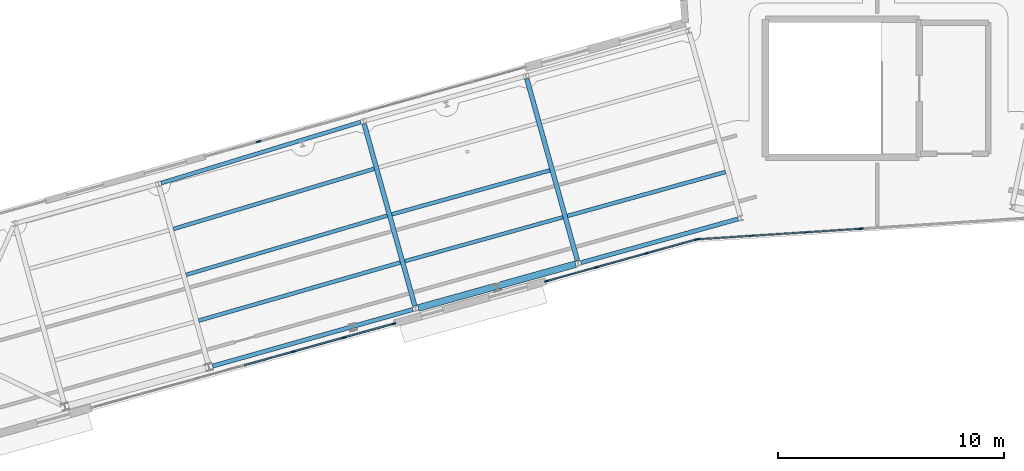
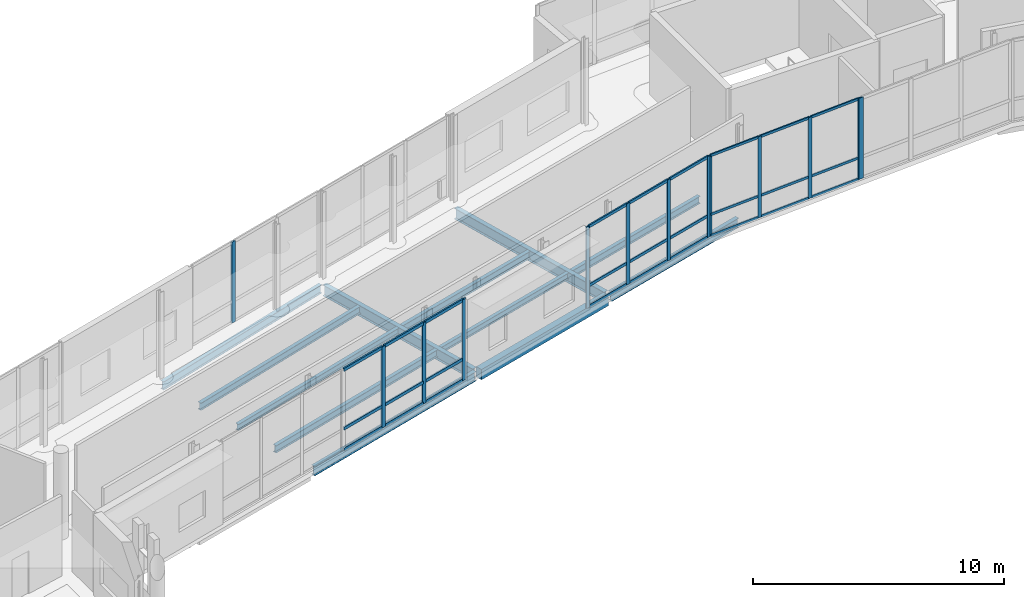
# One storey, part 33 of 125: 40 members, 12 beams, 5 elements without a shape of their own.
"""IFC4 building model written with IfcOpenShell, lengths in metres."""

from ifc_helpers import new_model, si_unit, direction, frame, origin, origin_2d, place, context, subcontext, project, spatial, rectangle, i_section, extrude, material, material_profile, profile_set, type_object, element, aggregate, save


model = new_model("IFC4")

# Units and contexts
model_context = context("Model", 3, precision=1e-05, world=origin(), true_north=direction((0.0, 1.0)))
body_context = subcontext(model_context, "Body", "Model", "MODEL_VIEW")
ifc_project = project(units=[si_unit("LENGTHUNIT", "METRE"), si_unit("AREAUNIT", "SQUARE_METRE"), si_unit("VOLUMEUNIT", "CUBIC_METRE"), si_unit("PLANEANGLEUNIT", "RADIAN"), si_unit("MASSUNIT", "GRAM", prefix="KILO")], contexts=[model_context])

# Site, building, storey
site_placement = place(None, origin())
site = spatial("IfcSite", under=ifc_project, at=site_placement, CompositionType="ELEMENT")
building_placement = place(site_placement, origin())
building = spatial("IfcBuilding", under=site, at=building_placement, Name="Wrenclough Park School", CompositionType="ELEMENT")
storey_placement = place(building_placement, frame((0.0, 0.0, 4.199951171875)))
storey = spatial("IfcBuildingStorey", under=building, at=storey_placement, Name="L01", CompositionType="ELEMENT", Elevation=4.199951171875)

# Curtain wall, members
ifc_material_1 = material(Name="Thermally broken aluminium and low-e glass curtain wall", Category="aluminium")
curtain_wall_type_1 = type_object("IfcCurtainWallType", Name="ENV-CW-08", PredefinedType="USERDEFINED", material=ifc_material_1)
curtain_wall_1_placement = place(storey_placement, origin())
curtain_wall_1 = element("IfcCurtainWall", 1, at=curtain_wall_1_placement, inside=storey, type_object=curtain_wall_type_1, Name="L01 recessed curtain wall assembly 135", ObjectType="CURTAIN WALL", PredefinedType="USERDEFINED")
ifc_material_2 = material(Name="Thermally broken anodised aluminium", Category="aluminium")
ifc_material_profile_1 = material_profile(ifc_material_2, rectangle(XDim=0.06005859375, YDim=0.159912109375, at=origin_2d()), Name="AL MULLION 60x160")
ifc_profile_set_1 = profile_set([ifc_material_profile_1], Name="Thermally broken anodised aluminium")
member_type_1 = type_object("IfcMemberType", Name="ENV-CWM-1", PredefinedType="MULLION", material=ifc_profile_set_1)
member_1_placement = place(storey_placement, frame((93.20751953125, 32.88916015625, 0.0), z_axis=(0.0, 0.0, 1.0), x_axis=(0.064258804509, -0.99793326733, 0.0)))
member_1 = element("IfcMember", 2, at=member_1_placement, type_object=member_type_1, Name="CW-08 mullion 1", PredefinedType="MULLION", context=body_context, shape_type="SweptSolid", body=[
    extrude(rectangle(XDim=0.06005859375, YDim=0.159912109375, at=origin_2d()), origin(), (0.0, 0.0, 1.0), 3.93994140625),
])
member_2_placement = place(storey_placement, frame((90.840087890625, 32.736572265625, 0.0), z_axis=(0.0, 0.0, 1.0), x_axis=(0.064258804509, -0.99793326733, 0.0)))
member_2 = element("IfcMember", 3, at=member_2_placement, type_object=member_type_1, Name="CW-08 mullion 2", PredefinedType="MULLION", context=body_context, shape_type="SweptSolid", body=[
    extrude(rectangle(XDim=0.06005859375, YDim=0.159912109375, at=origin_2d()), origin(), (0.0, 0.0, 1.0), 3.93994140625),
])
member_3_placement = place(storey_placement, frame((88.44287109375, 32.582275390625, 0.0), z_axis=(0.0, 0.0, 1.0), x_axis=(0.064258804509, -0.99793326733, 0.0)))
member_3 = element("IfcMember", 4, at=member_3_placement, type_object=member_type_1, Name="CW-08 mullion 3", PredefinedType="MULLION", context=body_context, shape_type="SweptSolid", body=[
    extrude(rectangle(XDim=0.06005859375, YDim=0.159912109375, at=origin_2d()), origin(), (0.0, 0.0, 1.0), 3.93994140625),
])
member_4_placement = place(storey_placement, frame((86.075439453125, 32.429931640625, 0.0), z_axis=(0.0, 0.0, 1.0), x_axis=(0.064258804509, -0.99793326733, 0.0)))
member_4 = element("IfcMember", 5, at=member_4_placement, type_object=member_type_1, Name="CW-08 mullion 4", PredefinedType="MULLION", context=body_context, shape_type="SweptSolid", body=[
    extrude(rectangle(XDim=0.06005859375, YDim=0.159912109375, at=origin_2d()), origin(), (0.0, 0.0, 1.0), 3.93994140625),
])

curtain_wall_type_2 = type_object("IfcCurtainWallType", Name="ENV-CW-09", PredefinedType="USERDEFINED", material=ifc_material_1)
curtain_wall_2_placement = place(storey_placement, origin())
curtain_wall_2 = element("IfcCurtainWall", 6, at=curtain_wall_2_placement, inside=storey, type_object=curtain_wall_type_2, Name="L01 recessed curtain wall assembly 136", ObjectType="CURTAIN WALL", PredefinedType="USERDEFINED")
ifc_material_profile_2 = material_profile(ifc_material_2, rectangle(XDim=0.06494140625, YDim=0.179931640625, at=origin_2d()), Name="AL MULLION 65x180")
ifc_profile_set_2 = profile_set([ifc_material_profile_2], Name="Thermally broken anodised aluminium")
member_type_2 = type_object("IfcMemberType", Name="ENV-CWM-2", PredefinedType="MULLION", material=ifc_profile_set_2)
member_5_placement = place(storey_placement, frame((86.00634765625, 32.417724609375, 0.0), z_axis=(0.0, 0.0, 1.0), x_axis=(0.268072536011, -0.963398731282, 0.0)))
member_5 = element("IfcMember", 7, at=member_5_placement, type_object=member_type_2, Name="CW-09 mullion 1", PredefinedType="MULLION", context=body_context, shape_type="SweptSolid", body=[
    extrude(rectangle(XDim=0.06494140625, YDim=0.179931640625, at=origin_2d()), origin(), (0.0, 0.0, 1.0), 3.93994140625),
])
member_6_placement = place(storey_placement, frame((83.808349609375, 31.80615234375, 0.0), z_axis=(0.0, 0.0, 1.0), x_axis=(0.268072536011, -0.963398731282, 0.0)))
member_6 = element("IfcMember", 8, at=member_6_placement, type_object=member_type_2, Name="CW-09 mullion 2", PredefinedType="MULLION", context=body_context, shape_type="SweptSolid", body=[
    extrude(rectangle(XDim=0.06494140625, YDim=0.179931640625, at=origin_2d()), origin(), (0.0, 0.0, 1.0), 3.93994140625),
])
member_7_placement = place(storey_placement, frame((81.5791015625, 31.185791015625, 0.0), z_axis=(0.0, 0.0, 1.0), x_axis=(0.268072536011, -0.963398731282, 0.0)))
member_7 = element("IfcMember", 9, at=member_7_placement, type_object=member_type_2, Name="CW-09 mullion 3", PredefinedType="MULLION", context=body_context, shape_type="SweptSolid", body=[
    extrude(rectangle(XDim=0.06494140625, YDim=0.179931640625, at=origin_2d()), origin(), (0.0, 0.0, 1.0), 3.93994140625),
])
member_8_placement = place(storey_placement, frame((79.381103515625, 30.57421875, 0.0), z_axis=(0.0, 0.0, 1.0), x_axis=(0.268072536011, -0.963398731282, 0.0)))
member_8 = element("IfcMember", 10, at=member_8_placement, type_object=member_type_2, Name="CW-09 mullion 4", PredefinedType="MULLION", context=body_context, shape_type="SweptSolid", body=[
    extrude(rectangle(XDim=0.06494140625, YDim=0.179931640625, at=origin_2d()), origin(), (0.0, 0.0, 1.0), 3.93994140625),
])

# Curtain wall, member
curtain_wall_type_3 = type_object("IfcCurtainWallType", Name="ENV-CW-07", PredefinedType="USERDEFINED", material=ifc_material_1)
curtain_wall_3_placement = place(storey_placement, origin())
curtain_wall_3 = element("IfcCurtainWall", 11, at=curtain_wall_3_placement, inside=storey, type_object=curtain_wall_type_3, Name="L01 recessed curtain wall assembly 134", ObjectType="CURTAIN WALL", PredefinedType="USERDEFINED")
ifc_material_profile_3 = material_profile(ifc_material_2, rectangle(XDim=0.070068359375, YDim=0.199951171875, at=origin_2d()), Name="AL MULLION 70x200")
ifc_profile_set_3 = profile_set([ifc_material_profile_3], Name="Thermally broken anodised aluminium")
member_type_3 = type_object("IfcMemberType", Name="ENV-CWM-3", PredefinedType="MULLION", material=ifc_profile_set_3)
member_9_placement = place(storey_placement, frame((93.2802734375, 32.893798828125, 0.0), z_axis=(0.0, 0.0, 1.0), x_axis=(0.064258804509, -0.99793326733, 0.0)))
member_9 = element("IfcMember", 12, at=member_9_placement, type_object=member_type_3, Name="CW-07 mullion 4", PredefinedType="MULLION", context=body_context, shape_type="SweptSolid", body=[
    extrude(rectangle(XDim=0.070068359375, YDim=0.199951171875, at=origin_2d()), origin(), (0.0, 0.0, 1.0), 3.93994140625),
])
aggregate(curtain_wall_3, [member_9])

# Curtain wall, members
curtain_wall_type_4 = type_object("IfcCurtainWallType", Name="ENV-CW-10", PredefinedType="USERDEFINED", material=ifc_material_1)
curtain_wall_4_placement = place(storey_placement, origin())
curtain_wall_4 = element("IfcCurtainWall", 13, at=curtain_wall_4_placement, inside=storey, type_object=curtain_wall_type_4, Name="L01 recessed curtain wall assembly 137", ObjectType="CURTAIN WALL", PredefinedType="USERDEFINED")
member_10_placement = place(storey_placement, frame((72.61279296875, 28.69091796875, 0.0), z_axis=(0.0, 0.0, 1.0), x_axis=(0.268059165615, -0.96340245159, 0.0)))
member_10 = element("IfcMember", 14, at=member_10_placement, type_object=member_type_3, Name="CW-10 mullion 1", PredefinedType="MULLION", context=body_context, shape_type="SweptSolid", body=[
    extrude(rectangle(XDim=0.070068359375, YDim=0.199951171875, at=origin_2d()), origin(), (0.0, 0.0, 1.0), 3.93994140625),
])
member_11_placement = place(storey_placement, frame((70.417236328125, 28.080078125, 0.0), z_axis=(0.0, 0.0, 1.0), x_axis=(0.268059165615, -0.96340245159, 0.0)))
member_11 = element("IfcMember", 15, at=member_11_placement, type_object=member_type_3, Name="CW-10 mullion 2", PredefinedType="MULLION", context=body_context, shape_type="SweptSolid", body=[
    extrude(rectangle(XDim=0.070068359375, YDim=0.199951171875, at=origin_2d()), origin(), (0.0, 0.0, 1.0), 3.93994140625),
])
member_12_placement = place(storey_placement, frame((68.18798828125, 27.459716796875, 0.0), z_axis=(0.0, 0.0, 1.0), x_axis=(0.268059165615, -0.96340245159, 0.0)))
member_12 = element("IfcMember", 16, at=member_12_placement, type_object=member_type_3, Name="CW-10 mullion 3", PredefinedType="MULLION", context=body_context, shape_type="SweptSolid", body=[
    extrude(rectangle(XDim=0.070068359375, YDim=0.199951171875, at=origin_2d()), origin(), (0.0, 0.0, 1.0), 3.93994140625),
])

# Curtain wall, member
curtain_wall_type_5 = type_object("IfcCurtainWallType", Name="ENV-CW-16", PredefinedType="USERDEFINED", material=ifc_material_1)
curtain_wall_5_placement = place(storey_placement, origin())
curtain_wall_5 = element("IfcCurtainWall", 17, at=curtain_wall_5_placement, inside=storey, type_object=curtain_wall_type_5, Name="L01 recessed curtain wall assembly 143", ObjectType="CURTAIN WALL", PredefinedType="USERDEFINED")
member_13_placement = place(storey_placement, frame((66.6552734375, 36.748779296875, 0.0), z_axis=(0.0, 0.0, 1.0), x_axis=(-0.268072383958, 0.963398773592, 0.0)))
member_13 = element("IfcMember", 18, at=member_13_placement, type_object=member_type_3, Name="CW-16 mullion 2", PredefinedType="MULLION", context=body_context, shape_type="SweptSolid", body=[
    extrude(rectangle(XDim=0.070068359375, YDim=0.199951171875, at=origin_2d()), origin(), (0.0, 0.0, 1.0), 3.93994140625),
])
aggregate(curtain_wall_5, [member_13])

# Member
ifc_material_profile_4 = material_profile(ifc_material_2, rectangle(XDim=0.06005859375, YDim=0.1201171875, at=origin_2d()), Name="AL TRANSOM 60x120")
ifc_profile_set_4 = profile_set([ifc_material_profile_4], Name="Thermally broken anodised aluminium")
member_type_4 = type_object("IfcMemberType", Name="ENV-CWT-1", PredefinedType="USERDEFINED", material=ifc_profile_set_4)
member_14_placement = place(storey_placement, frame((93.177490234375, 32.88720703125, 0.030029296875), z_axis=(-0.997930339221, -0.064304261622, 0.0), x_axis=(0.064304261622, -0.997930339221, 0.0)))
member_14 = element("IfcMember", 19, at=member_14_placement, type_object=member_type_4, Name="CW-08 transom 1.1", ObjectType="TRANSOM", PredefinedType="USERDEFINED", context=body_context, shape_type="SweptSolid", body=[
    extrude(rectangle(XDim=0.06005859375, YDim=0.1201171875, at=origin_2d()), origin(), (0.0, 0.0, 1.0), 2.312255859375),
])

member_15_placement = place(storey_placement, frame((93.177490234375, 32.88720703125, 1.050048828125), z_axis=(-0.997930339221, -0.064304261622, 0.0), x_axis=(0.064304261622, -0.997930339221, 0.0)))
member_15 = element("IfcMember", 20, at=member_15_placement, type_object=member_type_4, Name="CW-08 transom 1.2", ObjectType="TRANSOM", PredefinedType="USERDEFINED", context=body_context, shape_type="SweptSolid", body=[
    extrude(rectangle(XDim=0.06005859375, YDim=0.1201171875, at=origin_2d()), origin(), (0.0, 0.0, 1.0), 2.312255859375),
])

member_16_placement = place(storey_placement, frame((93.177490234375, 32.88720703125, 3.91015625), z_axis=(-0.997930339221, -0.064304261622, 0.0), x_axis=(0.064304261622, -0.997930339221, 0.0)))
member_16 = element("IfcMember", 21, at=member_16_placement, type_object=member_type_4, Name="CW-08 transom 1.3", ObjectType="TRANSOM", PredefinedType="USERDEFINED", context=body_context, shape_type="SweptSolid", body=[
    extrude(rectangle(XDim=0.06005859375, YDim=0.1201171875, at=origin_2d()), origin(), (0.0, 0.0, 1.0), 2.312255859375),
])

member_17_placement = place(storey_placement, frame((90.81005859375, 32.734619140625, 0.030029296875), z_axis=(-0.997936527289, -0.064208157595, 0.0), x_axis=(0.064208157595, -0.997936527289, 0.0)))
member_17 = element("IfcMember", 22, at=member_17_placement, type_object=member_type_4, Name="CW-08 transom 2.1", ObjectType="TRANSOM", PredefinedType="USERDEFINED", context=body_context, shape_type="SweptSolid", body=[
    extrude(rectangle(XDim=0.06005859375, YDim=0.1201171875, at=origin_2d()), origin(), (0.0, 0.0, 1.0), 2.34228515625),
])

member_18_placement = place(storey_placement, frame((90.81005859375, 32.734619140625, 1.050048828125), z_axis=(-0.997936527289, -0.064208157595, 0.0), x_axis=(0.064208157595, -0.997936527289, 0.0)))
member_18 = element("IfcMember", 23, at=member_18_placement, type_object=member_type_4, Name="CW-08 transom 2.2", ObjectType="TRANSOM", PredefinedType="USERDEFINED", context=body_context, shape_type="SweptSolid", body=[
    extrude(rectangle(XDim=0.06005859375, YDim=0.1201171875, at=origin_2d()), origin(), (0.0, 0.0, 1.0), 2.34228515625),
])

member_19_placement = place(storey_placement, frame((90.81005859375, 32.734619140625, 3.91015625), z_axis=(-0.997936527289, -0.064208157595, 0.0), x_axis=(0.064208157595, -0.997936527289, 0.0)))
member_19 = element("IfcMember", 24, at=member_19_placement, type_object=member_type_4, Name="CW-08 transom 2.3", ObjectType="TRANSOM", PredefinedType="USERDEFINED", context=body_context, shape_type="SweptSolid", body=[
    extrude(rectangle(XDim=0.06005859375, YDim=0.1201171875, at=origin_2d()), origin(), (0.0, 0.0, 1.0), 2.34228515625),
])

member_20_placement = place(storey_placement, frame((88.412841796875, 32.580322265625, 0.030029296875), z_axis=(-0.997930339221, -0.064304261622, 0.0), x_axis=(0.064304261622, -0.997930339221, 0.0)))
member_20 = element("IfcMember", 25, at=member_20_placement, type_object=member_type_4, Name="CW-08 transom 3.1", ObjectType="TRANSOM", PredefinedType="USERDEFINED", context=body_context, shape_type="SweptSolid", body=[
    extrude(rectangle(XDim=0.06005859375, YDim=0.1201171875, at=origin_2d()), origin(), (0.0, 0.0, 1.0), 2.312255859375),
])

member_21_placement = place(storey_placement, frame((88.412841796875, 32.580322265625, 1.050048828125), z_axis=(-0.997930339221, -0.064304261622, 0.0), x_axis=(0.064304261622, -0.997930339221, 0.0)))
member_21 = element("IfcMember", 26, at=member_21_placement, type_object=member_type_4, Name="CW-08 transom 3.2", ObjectType="TRANSOM", PredefinedType="USERDEFINED", context=body_context, shape_type="SweptSolid", body=[
    extrude(rectangle(XDim=0.06005859375, YDim=0.1201171875, at=origin_2d()), origin(), (0.0, 0.0, 1.0), 2.312255859375),
])

member_22_placement = place(storey_placement, frame((88.412841796875, 32.580322265625, 3.91015625), z_axis=(-0.997930339221, -0.064304261622, 0.0), x_axis=(0.064304261622, -0.997930339221, 0.0)))
member_22 = element("IfcMember", 27, at=member_22_placement, type_object=member_type_4, Name="CW-08 transom 3.3", ObjectType="TRANSOM", PredefinedType="USERDEFINED", context=body_context, shape_type="SweptSolid", body=[
    extrude(rectangle(XDim=0.06005859375, YDim=0.1201171875, at=origin_2d()), origin(), (0.0, 0.0, 1.0), 2.312255859375),
])

aggregate(curtain_wall_1, [member_1, member_2, member_3, member_4, member_14, member_15, member_16, member_17, member_18, member_19, member_20, member_21, member_22])

ifc_material_profile_5 = material_profile(ifc_material_2, rectangle(XDim=0.06494140625, YDim=0.139892578125, at=origin_2d()), Name="AL TRANSOM 65x140")
ifc_profile_set_5 = profile_set([ifc_material_profile_5], Name="Thermally broken anodised aluminium")
member_type_5 = type_object("IfcMemberType", Name="ENV-CWT-2", PredefinedType="USERDEFINED", material=ifc_profile_set_5)
member_23_placement = place(storey_placement, frame((85.97509765625, 32.4091796875, 0.032470703125), z_axis=(-0.963396308982, -0.268081241118, 0.0), x_axis=(0.268081241118, -0.963396308982, 0.0)))
member_23 = element("IfcMember", 28, at=member_23_placement, type_object=member_type_5, Name="CW-09 transom 1.1", ObjectType="TRANSOM", PredefinedType="USERDEFINED", context=body_context, shape_type="SweptSolid", body=[
    extrude(rectangle(XDim=0.06494140625, YDim=0.139892578125, at=origin_2d()), origin(), (0.0, 0.0, 1.0), 2.216552734375),
])

member_24_placement = place(storey_placement, frame((85.97509765625, 32.4091796875, 1.050048828125), z_axis=(-0.963396308982, -0.268081241118, 0.0), x_axis=(0.268081241118, -0.963396308982, 0.0)))
member_24 = element("IfcMember", 29, at=member_24_placement, type_object=member_type_5, Name="CW-09 transom 1.2", ObjectType="TRANSOM", PredefinedType="USERDEFINED", context=body_context, shape_type="SweptSolid", body=[
    extrude(rectangle(XDim=0.06494140625, YDim=0.139892578125, at=origin_2d()), origin(), (0.0, 0.0, 1.0), 2.216552734375),
])

member_25_placement = place(storey_placement, frame((85.97509765625, 32.4091796875, 3.907470703125), z_axis=(-0.963396308982, -0.268081241118, 0.0), x_axis=(0.268081241118, -0.963396308982, 0.0)))
member_25 = element("IfcMember", 30, at=member_25_placement, type_object=member_type_5, Name="CW-09 transom 1.3", ObjectType="TRANSOM", PredefinedType="USERDEFINED", context=body_context, shape_type="SweptSolid", body=[
    extrude(rectangle(XDim=0.06494140625, YDim=0.139892578125, at=origin_2d()), origin(), (0.0, 0.0, 1.0), 2.216552734375),
])

member_26_placement = place(storey_placement, frame((83.777099609375, 31.797607421875, 0.032470703125), z_axis=(-0.963385603119, -0.268119711516, 0.0), x_axis=(0.268119711516, -0.963385603119, 0.0)))
member_26 = element("IfcMember", 31, at=member_26_placement, type_object=member_type_5, Name="CW-09 transom 2.1", ObjectType="TRANSOM", PredefinedType="USERDEFINED", context=body_context, shape_type="SweptSolid", body=[
    extrude(rectangle(XDim=0.06494140625, YDim=0.139892578125, at=origin_2d()), origin(), (0.0, 0.0, 1.0), 2.2490234375),
])

member_27_placement = place(storey_placement, frame((83.777099609375, 31.797607421875, 1.050048828125), z_axis=(-0.963385603119, -0.268119711516, 0.0), x_axis=(0.268119711516, -0.963385603119, 0.0)))
member_27 = element("IfcMember", 32, at=member_27_placement, type_object=member_type_5, Name="CW-09 transom 2.2", ObjectType="TRANSOM", PredefinedType="USERDEFINED", context=body_context, shape_type="SweptSolid", body=[
    extrude(rectangle(XDim=0.06494140625, YDim=0.139892578125, at=origin_2d()), origin(), (0.0, 0.0, 1.0), 2.2490234375),
])

member_28_placement = place(storey_placement, frame((83.777099609375, 31.797607421875, 3.907470703125), z_axis=(-0.963385603119, -0.268119711516, 0.0), x_axis=(0.268119711516, -0.963385603119, 0.0)))
member_28 = element("IfcMember", 33, at=member_28_placement, type_object=member_type_5, Name="CW-09 transom 2.3", ObjectType="TRANSOM", PredefinedType="USERDEFINED", context=body_context, shape_type="SweptSolid", body=[
    extrude(rectangle(XDim=0.06494140625, YDim=0.139892578125, at=origin_2d()), origin(), (0.0, 0.0, 1.0), 2.2490234375),
])

member_29_placement = place(storey_placement, frame((81.5478515625, 31.17724609375, 0.032470703125), z_axis=(-0.963388392216, -0.268109689761, 0.0), x_axis=(0.268109689761, -0.963388392216, 0.0)))
member_29 = element("IfcMember", 34, at=member_29_placement, type_object=member_type_5, Name="CW-09 transom 3.1", ObjectType="TRANSOM", PredefinedType="USERDEFINED", context=body_context, shape_type="SweptSolid", body=[
    extrude(rectangle(XDim=0.06494140625, YDim=0.139892578125, at=origin_2d()), origin(), (0.0, 0.0, 1.0), 2.21630859375),
])

member_30_placement = place(storey_placement, frame((81.5478515625, 31.17724609375, 1.050048828125), z_axis=(-0.963388392216, -0.268109689761, 0.0), x_axis=(0.268109689761, -0.963388392216, 0.0)))
member_30 = element("IfcMember", 35, at=member_30_placement, type_object=member_type_5, Name="CW-09 transom 3.2", ObjectType="TRANSOM", PredefinedType="USERDEFINED", context=body_context, shape_type="SweptSolid", body=[
    extrude(rectangle(XDim=0.06494140625, YDim=0.139892578125, at=origin_2d()), origin(), (0.0, 0.0, 1.0), 2.21630859375),
])

member_31_placement = place(storey_placement, frame((81.5478515625, 31.17724609375, 3.907470703125), z_axis=(-0.963388392216, -0.268109689761, 0.0), x_axis=(0.268109689761, -0.963388392216, 0.0)))
member_31 = element("IfcMember", 36, at=member_31_placement, type_object=member_type_5, Name="CW-09 transom 3.3", ObjectType="TRANSOM", PredefinedType="USERDEFINED", context=body_context, shape_type="SweptSolid", body=[
    extrude(rectangle(XDim=0.06494140625, YDim=0.139892578125, at=origin_2d()), origin(), (0.0, 0.0, 1.0), 2.21630859375),
])

aggregate(curtain_wall_2, [member_5, member_6, member_7, member_8, member_23, member_24, member_25, member_26, member_27, member_28, member_29, member_30, member_31])

ifc_material_profile_6 = material_profile(ifc_material_2, rectangle(XDim=0.070068359375, YDim=0.14990234375, at=origin_2d()), Name="AL TRANSOM 70x150")
ifc_profile_set_6 = profile_set([ifc_material_profile_6], Name="Thermally broken anodised aluminium")
member_type_6 = type_object("IfcMemberType", Name="ENV-CWT-3", PredefinedType="USERDEFINED", material=ifc_profile_set_6)
member_32_placement = place(storey_placement, frame((72.5791015625, 28.681640625, 0.03515625), z_axis=(-0.963386375093, -0.268116937705, 0.0), x_axis=(0.268116937705, -0.963386375093, 0.0)))
member_32 = element("IfcMember", 37, at=member_32_placement, type_object=member_type_6, Name="CW-10 transom 1.1", ObjectType="TRANSOM", PredefinedType="USERDEFINED", context=body_context, shape_type="SweptSolid", body=[
    extrude(rectangle(XDim=0.070068359375, YDim=0.14990234375, at=origin_2d()), origin(), (0.0, 0.0, 1.0), 2.208984375),
])

member_33_placement = place(storey_placement, frame((72.5791015625, 28.681640625, 1.050048828125), z_axis=(-0.963386375093, -0.268116937705, 0.0), x_axis=(0.268116937705, -0.963386375093, 0.0)))
member_33 = element("IfcMember", 38, at=member_33_placement, type_object=member_type_6, Name="CW-10 transom 1.2", ObjectType="TRANSOM", PredefinedType="USERDEFINED", context=body_context, shape_type="SweptSolid", body=[
    extrude(rectangle(XDim=0.070068359375, YDim=0.14990234375, at=origin_2d()), origin(), (0.0, 0.0, 1.0), 2.208984375),
])

member_34_placement = place(storey_placement, frame((72.5791015625, 28.681640625, 3.905029296875), z_axis=(-0.963386375093, -0.268116937705, 0.0), x_axis=(0.268116937705, -0.963386375093, 0.0)))
member_34 = element("IfcMember", 39, at=member_34_placement, type_object=member_type_6, Name="CW-10 transom 1.3", ObjectType="TRANSOM", PredefinedType="USERDEFINED", context=body_context, shape_type="SweptSolid", body=[
    extrude(rectangle(XDim=0.070068359375, YDim=0.14990234375, at=origin_2d()), origin(), (0.0, 0.0, 1.0), 2.208984375),
])

member_35_placement = place(storey_placement, frame((70.383544921875, 28.070556640625, 0.03515625), z_axis=(-0.963425886953, -0.267974924852, 0.0), x_axis=(0.267974924852, -0.963425886953, 0.0)))
member_35 = element("IfcMember", 40, at=member_35_placement, type_object=member_type_6, Name="CW-10 transom 2.1", ObjectType="TRANSOM", PredefinedType="USERDEFINED", context=body_context, shape_type="SweptSolid", body=[
    extrude(rectangle(XDim=0.070068359375, YDim=0.14990234375, at=origin_2d()), origin(), (0.0, 0.0, 1.0), 2.243896484375),
])

member_36_placement = place(storey_placement, frame((70.383544921875, 28.070556640625, 1.050048828125), z_axis=(-0.963425886953, -0.267974924852, 0.0), x_axis=(0.267974924852, -0.963425886953, 0.0)))
member_36 = element("IfcMember", 41, at=member_36_placement, type_object=member_type_6, Name="CW-10 transom 2.2", ObjectType="TRANSOM", PredefinedType="USERDEFINED", context=body_context, shape_type="SweptSolid", body=[
    extrude(rectangle(XDim=0.070068359375, YDim=0.14990234375, at=origin_2d()), origin(), (0.0, 0.0, 1.0), 2.243896484375),
])

member_37_placement = place(storey_placement, frame((70.383544921875, 28.070556640625, 3.905029296875), z_axis=(-0.963425886953, -0.267974924852, 0.0), x_axis=(0.267974924852, -0.963425886953, 0.0)))
member_37 = element("IfcMember", 42, at=member_37_placement, type_object=member_type_6, Name="CW-10 transom 2.3", ObjectType="TRANSOM", PredefinedType="USERDEFINED", context=body_context, shape_type="SweptSolid", body=[
    extrude(rectangle(XDim=0.070068359375, YDim=0.14990234375, at=origin_2d()), origin(), (0.0, 0.0, 1.0), 2.243896484375),
])

member_38_placement = place(storey_placement, frame((68.154296875, 27.450439453125, 0.03515625), z_axis=(-0.963386375093, -0.268116937705, 0.0), x_axis=(0.268116937705, -0.963386375093, 0.0)))
member_38 = element("IfcMember", 43, at=member_38_placement, type_object=member_type_6, Name="CW-10 transom 3.1", ObjectType="TRANSOM", PredefinedType="USERDEFINED", context=body_context, shape_type="SweptSolid", body=[
    extrude(rectangle(XDim=0.070068359375, YDim=0.14990234375, at=origin_2d()), origin(), (0.0, 0.0, 1.0), 2.208984375),
])

member_39_placement = place(storey_placement, frame((68.154296875, 27.450439453125, 1.050048828125), z_axis=(-0.963386375093, -0.268116937705, 0.0), x_axis=(0.268116937705, -0.963386375093, 0.0)))
member_39 = element("IfcMember", 44, at=member_39_placement, type_object=member_type_6, Name="CW-10 transom 3.2", ObjectType="TRANSOM", PredefinedType="USERDEFINED", context=body_context, shape_type="SweptSolid", body=[
    extrude(rectangle(XDim=0.070068359375, YDim=0.14990234375, at=origin_2d()), origin(), (0.0, 0.0, 1.0), 2.208984375),
])

member_40_placement = place(storey_placement, frame((68.154296875, 27.450439453125, 3.905029296875), z_axis=(-0.963386375093, -0.268116937705, 0.0), x_axis=(0.268116937705, -0.963386375093, 0.0)))
member_40 = element("IfcMember", 45, at=member_40_placement, type_object=member_type_6, Name="CW-10 transom 3.3", ObjectType="TRANSOM", PredefinedType="USERDEFINED", context=body_context, shape_type="SweptSolid", body=[
    extrude(rectangle(XDim=0.070068359375, YDim=0.14990234375, at=origin_2d()), origin(), (0.0, 0.0, 1.0), 2.208984375),
])

aggregate(curtain_wall_4, [member_10, member_11, member_12, member_32, member_33, member_34, member_35, member_36, member_37, member_38, member_39, member_40])

# Beams
ifc_material_3 = material(Name="Concrete C32/40", Category="concrete")
ifc_material_profile_7 = material_profile(ifc_material_3, rectangle(XDim=0.300048828125, YDim=0.5, at=origin_2d()), Name="RC BEAM 300x500")
ifc_profile_set_7 = profile_set([ifc_material_profile_7], Name="Concrete C32/40")
beam_type_1 = type_object("IfcBeamType", Name="STR-BM-RC300", PredefinedType="BEAM", material=ifc_profile_set_7)
beam_1_placement = place(storey_placement, frame((73.7080078125, 29.39013671875, -0.489990234375), z_axis=(0.963393234091, 0.268092291025, 0.0), x_axis=(-0.268092291025, 0.963393234091, 0.0)))
element("IfcBeam", 46, at=beam_1_placement, inside=storey, type_object=beam_type_1, Name="W12 L01 longitudinal edge beam R3", PredefinedType="BEAM", context=body_context, shape_type="SweptSolid", body=[
    extrude(rectangle(XDim=0.300048828125, YDim=0.5, at=origin_2d()), origin(), (0.0, 0.0, 1.0), 7.216064453125),
])
ifc_material_4 = material(Name="Structural steel S355", Category="steel")
ifc_material_profile_8 = material_profile(ifc_material_4, i_section(OverallWidth=0.1650390625, OverallDepth=0.303466796875, WebThickness=0.006103515625, FlangeThickness=0.01025390625, FilletRadius=0.0087890625, at=origin_2d()), Name="UKB 305x165x40")
ifc_profile_set_8 = profile_set([ifc_material_profile_8], Name="Structural steel S355")
beam_type_2 = type_object("IfcBeamType", Name="STR-BM-UKB305", PredefinedType="JOIST", material=ifc_profile_set_8)
beam_2_placement = place(storey_placement, frame((63.44580078125, 30.855712890625, -0.3916015625), z_axis=(0.959375987665, 0.282130668824, 0.0), x_axis=(-0.282130668824, 0.959375987665, 0.0)))
element("IfcBeam", 47, at=beam_2_placement, inside=storey, type_object=beam_type_2, Name="W12 L01 secondary floor joist 0005", PredefinedType="JOIST", context=body_context, shape_type="SweptSolid", body=[
    extrude(i_section(OverallWidth=0.1650390625, OverallDepth=0.303466796875, WebThickness=0.006103515625, FlangeThickness=0.01025390625, FilletRadius=0.0087890625, at=origin_2d()), origin(), (0.0, 0.0, 1.0), 9.267822265625),
])
beam_3_placement = place(storey_placement, frame((73.11474609375, 31.456787109375, -0.3916015625), z_axis=(0.963399154107, 0.26807101646, 0.0), x_axis=(-0.26807101646, 0.963399154107, 0.0)))
element("IfcBeam", 48, at=beam_3_placement, inside=storey, type_object=beam_type_2, Name="W12 L01 secondary floor joist 0009", PredefinedType="JOIST", context=body_context, shape_type="SweptSolid", body=[
    extrude(i_section(OverallWidth=0.1650390625, OverallDepth=0.303466796875, WebThickness=0.006103515625, FlangeThickness=0.01025390625, FilletRadius=0.0087890625, at=origin_2d()), origin(), (0.0, 0.0, 1.0), 7.251220703125),
])
ifc_material_profile_9 = material_profile(ifc_material_4, i_section(OverallWidth=0.17138671875, OverallDepth=0.35498046875, WebThickness=0.00732421875, FlangeThickness=0.011474609375, FilletRadius=0.01025390625, at=origin_2d()), Name="UKB 356x171x51")
ifc_profile_set_9 = profile_set([ifc_material_profile_9], Name="Structural steel S355")
beam_type_3 = type_object("IfcBeamType", Name="STR-BM-UKB356", PredefinedType="JOIST", material=ifc_profile_set_9)
beam_4_placement = place(storey_placement, frame((62.88720703125, 32.880615234375, -0.41748046875), z_axis=(0.957870518727, 0.287200399293, 0.0), x_axis=(-0.287200399293, 0.957870518727, 0.0)))
element("IfcBeam", 49, at=beam_4_placement, inside=storey, type_object=beam_type_3, Name="W12 L01 secondary floor joist 0004", PredefinedType="JOIST", context=body_context, shape_type="SweptSolid", body=[
    extrude(i_section(OverallWidth=0.17138671875, OverallDepth=0.35498046875, WebThickness=0.00732421875, FlangeThickness=0.011474609375, FilletRadius=0.01025390625, at=origin_2d()), origin(), (0.0, 0.0, 1.0), 9.26416015625),
])
beam_5_placement = place(storey_placement, frame((64.00439453125, 28.830810546875, -0.41748046875), z_axis=(0.960853386948, 0.277057338452, 0.0), x_axis=(-0.277057338452, 0.960853386948, 0.0)))
element("IfcBeam", 50, at=beam_5_placement, inside=storey, type_object=beam_type_3, Name="W12 L01 secondary floor joist 0006", PredefinedType="JOIST", context=body_context, shape_type="SweptSolid", body=[
    extrude(i_section(OverallWidth=0.17138671875, OverallDepth=0.35498046875, WebThickness=0.00732421875, FlangeThickness=0.011474609375, FilletRadius=0.01025390625, at=origin_2d()), origin(), (0.0, 0.0, 1.0), 9.27197265625),
])
for number, where, z_axis, x_axis, name in (
    (51, (72.538330078125, 33.528076171875, -0.41748046875), (0.963399154107, 0.26807101646, 0.0), (-0.26807101646, 0.963399154107, 0.0), "W12 L01 secondary floor joist 0008"),
    (52, (80.30224609375, 33.456787109375, -0.41748046875), (0.963399154107, 0.26807101646, 0.0), (-0.26807101646, 0.963399154107, 0.0), "W12 L01 secondary floor joist 0012"),
):
    element("IfcBeam", number, at=place(storey_placement, frame(where, z_axis=z_axis, x_axis=x_axis)), inside=storey, type_object=beam_type_3, Name=name, PredefinedType="JOIST", context=body_context, shape_type="SweptSolid", body=[
        extrude(i_section(OverallWidth=0.17138671875, OverallDepth=0.35498046875, WebThickness=0.00732421875, FlangeThickness=0.011474609375, FilletRadius=0.01025390625, at=origin_2d()), origin(), (0.0, 0.0, 1.0), 7.251220703125),
    ])
ifc_material_profile_10 = material_profile(ifc_material_4, i_section(OverallWidth=0.177978515625, OverallDepth=0.406494140625, WebThickness=0.0078125, FlangeThickness=0.0126953125, FilletRadius=0.01025390625, at=origin_2d()), Name="UKB 406x178x60")
ifc_profile_set_10 = profile_set([ifc_material_profile_10], Name="Structural steel S355")
beam_type_4 = type_object("IfcBeamType", Name="STR-BM-UKB406", PredefinedType="BEAM", material=ifc_profile_set_10)
beam_6_placement = place(storey_placement, frame((62.345458984375, 34.91064453125, -0.443115234375), z_axis=(0.956335750911, 0.292270305589, 0.0), x_axis=(-0.292270305589, 0.956335750911, 0.0)))
element("IfcBeam", 53, at=beam_6_placement, inside=storey, type_object=beam_type_4, Name="W12 L01 longitudinal edge beam L2", PredefinedType="BEAM", context=body_context, shape_type="SweptSolid", body=[
    extrude(i_section(OverallWidth=0.177978515625, OverallDepth=0.406494140625, WebThickness=0.0078125, FlangeThickness=0.0126953125, FilletRadius=0.01025390625, at=origin_2d()), origin(), (0.0, 0.0, 1.0), 9.225341796875),
])
ifc_material_profile_11 = material_profile(ifc_material_4, i_section(OverallWidth=0.18994140625, OverallDepth=0.453369140625, WebThickness=0.008544921875, FlangeThickness=0.0126953125, FilletRadius=0.01025390625, at=origin_2d()), Name="UKB 457x191x67")
ifc_profile_set_11 = profile_set([ifc_material_profile_11], Name="Structural steel S355")
beam_type_5 = type_object("IfcBeamType", Name="STR-BM-UKB457A", PredefinedType="BEAM", material=ifc_profile_set_11)
beam_7_placement = place(storey_placement, frame((64.61328125, 26.820068359375, -0.466552734375), z_axis=(0.962297634329, 0.271998645153, 0.0), x_axis=(-0.271998645153, 0.962297634329, 0.0)))
element("IfcBeam", 54, at=beam_7_placement, inside=storey, type_object=beam_type_5, Name="W12 L01 longitudinal edge beam R2", PredefinedType="BEAM", context=body_context, shape_type="SweptSolid", body=[
    extrude(i_section(OverallWidth=0.18994140625, OverallDepth=0.453369140625, WebThickness=0.008544921875, FlangeThickness=0.0126953125, FilletRadius=0.01025390625, at=origin_2d()), origin(), (0.0, 0.0, 1.0), 9.20654296875),
])
beam_8_placement = place(storey_placement, frame((80.8955078125, 31.39013671875, -0.466552734375), z_axis=(0.963393234091, 0.268092291025, 0.0), x_axis=(-0.268092291025, 0.963393234091, 0.0)))
element("IfcBeam", 55, at=beam_8_placement, inside=storey, type_object=beam_type_5, Name="W12 L01 longitudinal edge beam R4", PredefinedType="BEAM", context=body_context, shape_type="SweptSolid", body=[
    extrude(i_section(OverallWidth=0.18994140625, OverallDepth=0.453369140625, WebThickness=0.008544921875, FlangeThickness=0.0126953125, FilletRadius=0.01025390625, at=origin_2d()), origin(), (0.0, 0.0, 1.0), 7.216064453125),
])
ifc_material_profile_12 = material_profile(ifc_material_4, i_section(OverallWidth=0.209228515625, OverallDepth=0.533203125, WebThickness=0.010009765625, FlangeThickness=0.015625, FilletRadius=0.0126953125, at=origin_2d()), Name="UKB 533x210x92")
ifc_profile_set_12 = profile_set([ifc_material_profile_12], Name="Structural steel S355")
beam_type_6 = type_object("IfcBeamType", Name="STR-BM-UKB533A", PredefinedType="BEAM", material=ifc_profile_set_12)
for number, where, z_axis, x_axis, name in (
    (56, (71.317626953125, 37.52490234375, -0.506591796875), (0.268053740699, -0.963403961014, 0.0), (0.963403961014, 0.268053740699, 0.0), "W12 L01 transverse floor beam 3"),
    (57, (78.505126953125, 39.52490234375, -0.506591796875), (0.268053740699, -0.963403961014, 0.0), (0.963403961014, 0.268053740699, 0.0), "W12 L01 transverse floor beam 4"),
):
    element("IfcBeam", number, at=place(storey_placement, frame(where, z_axis=z_axis, x_axis=x_axis)), inside=storey, type_object=beam_type_6, Name=name, PredefinedType="BEAM", context=body_context, shape_type="SweptSolid", body=[
        extrude(i_section(OverallWidth=0.209228515625, OverallDepth=0.533203125, WebThickness=0.010009765625, FlangeThickness=0.015625, FilletRadius=0.0126953125, at=origin_2d()), origin(), (0.0, 0.0, 1.0), 8.35546875),
    ])

save(model, "model.ifc")
